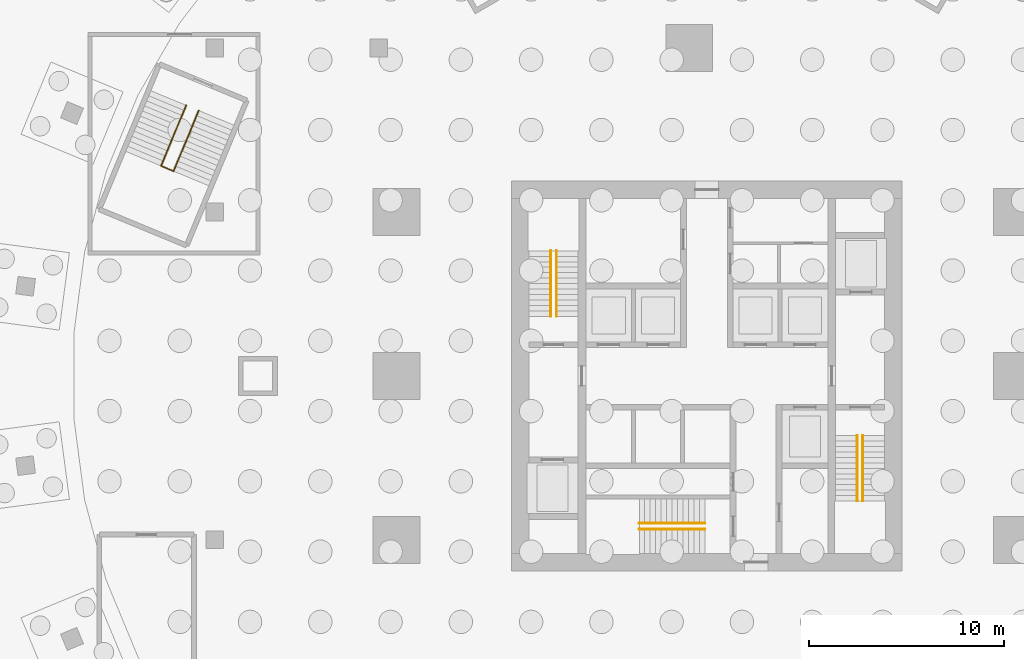
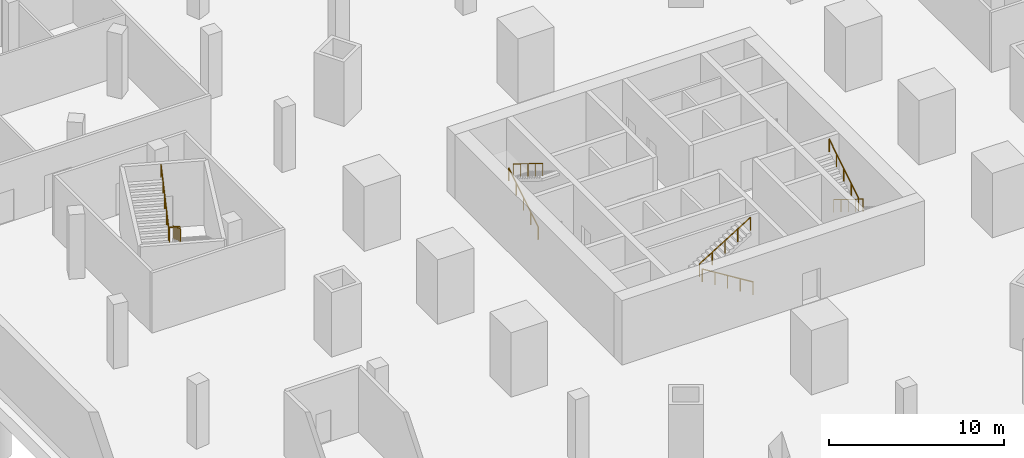
# One storey, part 10 of 12: 9 railings.
"""IFC4 building model written with IfcOpenShell, lengths in metres."""

from ifc_helpers import new_model, si_unit, direction, frame, origin, origin_2d, place, context, subcontext, project, spatial, circle, extrude, material, type_object, element, save


model = new_model("IFC4")

# Units and contexts
model_context = context("Model", 3, precision=1e-05, world=origin(), true_north=direction((0.0, 1.0)))
body_context = subcontext(model_context, "Body", "Model", "MODEL_VIEW")
ifc_project = project(units=[si_unit("LENGTHUNIT", "METRE"), si_unit("AREAUNIT", "SQUARE_METRE"), si_unit("VOLUMEUNIT", "CUBIC_METRE"), si_unit("PLANEANGLEUNIT", "RADIAN"), si_unit("MASSUNIT", "GRAM", prefix="KILO")], contexts=[model_context])

# Site, building, storey
site_placement = place(None, origin())
site = spatial("IfcSite", under=ifc_project, at=site_placement, CompositionType="ELEMENT")
building_placement = place(site_placement, origin())
building = spatial("IfcBuilding", under=site, at=building_placement, Name="Golbaran Civic Tower", CompositionType="ELEMENT")
storey_placement = place(building_placement, frame((0.0, 0.0, -13.5)))
storey = spatial("IfcBuildingStorey", under=building, at=storey_placement, Name="B3", CompositionType="ELEMENT", Elevation=-13.5)

# Railings
ifc_material_1 = material(Name="Steel balustrade", Category="steel")
railing_type_1 = type_object("IfcRailingType", Name="STAIR GUARD 1100", PredefinedType="GUARDRAIL", material=ifc_material_1)
railing_1_placement = place(storey_placement, frame((-27.360595703125, 10.510498046875, 2.25)))
element("IfcRailing", 1, at=railing_1_placement, inside=storey, type_object=railing_type_1, Name="Stair P2 well guard half landing B3", PredefinedType="GUARDRAIL", context=body_context, shape_type="SweptSolid", body=[
    extrude(circle(Radius=0.02392578125, at=origin_2d()), frame((0.0, 0.0, 1.076171875), z_axis=(-0.923917630863, 0.382591441855, 0.0), x_axis=(-0.382591441855, -0.923917630863, 0.0)), (0.0, 0.0, 1.0), 0.599853515625),
    extrude(circle(Radius=0.02099609375, at=origin_2d()), origin(), (0.0, 0.0, 1.0), 1.052001953125),
    extrude(circle(Radius=0.02099609375, at=origin_2d()), frame((-0.55419921875, 0.2294921875, 0.0)), (0.0, 0.0, 1.0), 1.052001953125),
])
ifc_material_2 = material(Name="Stainless steel", Category="steel")
railing_type_2 = type_object("IfcRailingType", Name="STAIR HANDRAIL 900", PredefinedType="HANDRAIL", material=ifc_material_2)
railing_2_placement = place(storey_placement, frame((-8.0, 3.050048828125, 0.173095703125)))
element("IfcRailing", 2, at=railing_2_placement, inside=storey, type_object=railing_type_2, Name="Stair S1 handrail flight 1 B3", PredefinedType="HANDRAIL", context=body_context, shape_type="SweptSolid", body=[
    extrude(circle(Radius=0.02392578125, at=origin_2d()), frame((0.0, 0.0, 0.8759765625), z_axis=(0.0, 0.850606129759, 0.525803396734), x_axis=(-1.0, 0.0, 0.0)), (0.0, 0.0, 1.0), 3.949951171875),
    extrude(circle(Radius=0.02099609375, at=origin_2d()), origin(), (0.0, 0.0, 1.0), 0.851806640625),
    extrude(circle(Radius=0.02099609375, at=origin_2d()), frame((0.0, 0.83984375, 0.519287109375)), (0.0, 0.0, 1.0), 0.851806640625),
    extrude(circle(Radius=0.02099609375, at=origin_2d()), frame((0.0, 1.679931640625, 1.03857421875)), (0.0, 0.0, 1.0), 0.851806640625),
    extrude(circle(Radius=0.02099609375, at=origin_2d()), frame((0.0, 2.52001953125, 1.5576171875)), (0.0, 0.0, 1.0), 0.851806640625),
    extrude(circle(Radius=0.02099609375, at=origin_2d()), frame((0.0, 3.35986328125, 2.076904296875)), (0.0, 0.0, 1.0), 0.851806640625),
])
for number, where, name in (
    (3, (-7.699951171875, 6.409912109375, 2.423095703125), "Stair S1 handrail flight 2 B3"),
    (4, (8.0, -3.050048828125, 0.173095703125), "Stair S2 handrail flight 1 B3"),
):
    element("IfcRailing", number, at=place(storey_placement, frame(where)), inside=storey, type_object=railing_type_2, Name=name, PredefinedType="HANDRAIL", context=body_context, shape_type="SweptSolid", body=[
        extrude(circle(Radius=0.02392578125, at=origin_2d()), frame((0.0, 0.0, 0.8759765625), z_axis=(0.0, -0.850606129759, 0.525803396734), x_axis=(1.0, 0.0, 0.0)), (0.0, 0.0, 1.0), 3.949951171875),
        extrude(circle(Radius=0.02099609375, at=origin_2d()), origin(), (0.0, 0.0, 1.0), 0.851806640625),
        extrude(circle(Radius=0.02099609375, at=origin_2d()), frame((0.0, -0.83984375, 0.519287109375)), (0.0, 0.0, 1.0), 0.851806640625),
        extrude(circle(Radius=0.02099609375, at=origin_2d()), frame((0.0, -1.679931640625, 1.03857421875)), (0.0, 0.0, 1.0), 0.851806640625),
        extrude(circle(Radius=0.02099609375, at=origin_2d()), frame((0.0, -2.52001953125, 1.5576171875)), (0.0, 0.0, 1.0), 0.851806640625),
        extrude(circle(Radius=0.02099609375, at=origin_2d()), frame((0.0, -3.35986328125, 2.076904296875)), (0.0, 0.0, 1.0), 0.851806640625),
    ])
railing_3_placement = place(storey_placement, frame((7.699951171875, -6.409912109375, 2.423095703125)))
element("IfcRailing", 5, at=railing_3_placement, inside=storey, type_object=railing_type_2, Name="Stair S2 handrail flight 2 B3", PredefinedType="HANDRAIL", context=body_context, shape_type="SweptSolid", body=[
    extrude(circle(Radius=0.02392578125, at=origin_2d()), frame((0.0, 0.0, 0.8759765625), z_axis=(0.0, 0.850606129759, 0.525803396734), x_axis=(-1.0, 0.0, 0.0)), (0.0, 0.0, 1.0), 3.949951171875),
    extrude(circle(Radius=0.02099609375, at=origin_2d()), origin(), (0.0, 0.0, 1.0), 0.851806640625),
    extrude(circle(Radius=0.02099609375, at=origin_2d()), frame((0.0, 0.83984375, 0.519287109375)), (0.0, 0.0, 1.0), 0.851806640625),
    extrude(circle(Radius=0.02099609375, at=origin_2d()), frame((0.0, 1.679931640625, 1.03857421875)), (0.0, 0.0, 1.0), 0.851806640625),
    extrude(circle(Radius=0.02099609375, at=origin_2d()), frame((0.0, 2.52001953125, 1.5576171875)), (0.0, 0.0, 1.0), 0.851806640625),
    extrude(circle(Radius=0.02099609375, at=origin_2d()), frame((0.0, 3.35986328125, 2.076904296875)), (0.0, 0.0, 1.0), 0.851806640625),
])
railing_4_placement = place(storey_placement, frame((-0.10009765625, -7.85009765625, 0.173095703125)))
element("IfcRailing", 6, at=railing_4_placement, inside=storey, type_object=railing_type_2, Name="Stair S3 handrail flight 1 B3", PredefinedType="HANDRAIL", context=body_context, shape_type="SweptSolid", body=[
    extrude(circle(Radius=0.02392578125, at=origin_2d()), frame((0.0, 0.0, 0.8759765625), z_axis=(-0.850606129759, 0.0, 0.525803396734), x_axis=(0.0, -1.0, 0.0)), (0.0, 0.0, 1.0), 3.949951171875),
    extrude(circle(Radius=0.02099609375, at=origin_2d()), origin(), (0.0, 0.0, 1.0), 0.851806640625),
    extrude(circle(Radius=0.02099609375, at=origin_2d()), frame((-0.83984375, 0.0, 0.519287109375)), (0.0, 0.0, 1.0), 0.851806640625),
    extrude(circle(Radius=0.02099609375, at=origin_2d()), frame((-1.679931640625, 0.0, 1.03857421875)), (0.0, 0.0, 1.0), 0.851806640625),
    extrude(circle(Radius=0.02099609375, at=origin_2d()), frame((-2.52001953125, 0.0, 1.5576171875)), (0.0, 0.0, 1.0), 0.851806640625),
    extrude(circle(Radius=0.02099609375, at=origin_2d()), frame((-3.35986328125, 0.0, 2.076904296875)), (0.0, 0.0, 1.0), 0.851806640625),
])
railing_5_placement = place(storey_placement, frame((-3.4599609375, -7.550048828125, 2.423095703125)))
element("IfcRailing", 7, at=railing_5_placement, inside=storey, type_object=railing_type_2, Name="Stair S3 handrail flight 2 B3", PredefinedType="HANDRAIL", context=body_context, shape_type="SweptSolid", body=[
    extrude(circle(Radius=0.02392578125, at=origin_2d()), frame((0.0, 0.0, 0.8759765625), z_axis=(0.850606129759, 0.0, 0.525803396734), x_axis=(0.0, 1.0, 0.0)), (0.0, 0.0, 1.0), 3.949951171875),
    extrude(circle(Radius=0.02099609375, at=origin_2d()), origin(), (0.0, 0.0, 1.0), 0.851806640625),
    extrude(circle(Radius=0.02099609375, at=origin_2d()), frame((0.83984375, 0.0, 0.519287109375)), (0.0, 0.0, 1.0), 0.851806640625),
    extrude(circle(Radius=0.02099609375, at=origin_2d()), frame((1.679931640625, 0.0, 1.03857421875)), (0.0, 0.0, 1.0), 0.851806640625),
    extrude(circle(Radius=0.02099609375, at=origin_2d()), frame((2.52001953125, 0.0, 1.5576171875)), (0.0, 0.0, 1.0), 0.851806640625),
    extrude(circle(Radius=0.02099609375, at=origin_2d()), frame((3.35986328125, 0.0, 2.076904296875)), (0.0, 0.0, 1.0), 0.851806640625),
])
railing_6_placement = place(storey_placement, frame((-26.028564453125, 13.595458984375, 0.173095703125)))
element("IfcRailing", 8, at=railing_6_placement, inside=storey, type_object=railing_type_2, Name="Stair P2 handrail flight 1 B3", PredefinedType="HANDRAIL", context=body_context, shape_type="SweptSolid", body=[
    extrude(circle(Radius=0.02392578125, at=origin_2d()), frame((0.0, 0.0, 0.8759765625), z_axis=(-0.325492629676, -0.785855164015, 0.525819559562), x_axis=(0.923887528372, -0.38266412808, 0.0)), (0.0, 0.0, 1.0), 3.949951171875),
    extrude(circle(Radius=0.02099609375, at=origin_2d()), origin(), (0.0, 0.0, 1.0), 0.851806640625),
    extrude(circle(Radius=0.02099609375, at=origin_2d()), frame((-0.3212890625, -0.77587890625, 0.519287109375)), (0.0, 0.0, 1.0), 0.851806640625),
    extrude(circle(Radius=0.02099609375, at=origin_2d()), frame((-0.642822265625, -1.552001953125, 1.03857421875)), (0.0, 0.0, 1.0), 0.851806640625),
    extrude(circle(Radius=0.02099609375, at=origin_2d()), frame((-0.96435546875, -2.328125, 1.5576171875)), (0.0, 0.0, 1.0), 0.851806640625),
    extrude(circle(Radius=0.02099609375, at=origin_2d()), frame((-1.28564453125, -3.10400390625, 2.076904296875)), (0.0, 0.0, 1.0), 0.851806640625),
])
railing_7_placement = place(storey_placement, frame((-27.9609375, 10.75927734375, 2.423095703125)))
element("IfcRailing", 9, at=railing_7_placement, inside=storey, type_object=railing_type_2, Name="Stair P2 handrail flight 2 B3", PredefinedType="HANDRAIL", context=body_context, shape_type="SweptSolid", body=[
    extrude(circle(Radius=0.02392578125, at=origin_2d()), frame((0.0, 0.0, 0.8759765625), z_axis=(0.325476819766, 0.785878800478, 0.525794019321), x_axis=(-0.923898168054, 0.382638439086, 0.0)), (0.0, 0.0, 1.0), 3.949951171875),
    extrude(circle(Radius=0.02099609375, at=origin_2d()), origin(), (0.0, 0.0, 1.0), 0.851806640625),
    extrude(circle(Radius=0.02099609375, at=origin_2d()), frame((0.3212890625, 0.776123046875, 0.519287109375)), (0.0, 0.0, 1.0), 0.851806640625),
    extrude(circle(Radius=0.02099609375, at=origin_2d()), frame((0.642822265625, 1.55224609375, 1.03857421875)), (0.0, 0.0, 1.0), 0.851806640625),
    extrude(circle(Radius=0.02099609375, at=origin_2d()), frame((0.96435546875, 2.328125, 1.5576171875)), (0.0, 0.0, 1.0), 0.851806640625),
    extrude(circle(Radius=0.02099609375, at=origin_2d()), frame((1.28564453125, 3.104248046875, 2.076904296875)), (0.0, 0.0, 1.0), 0.851806640625),
])

save(model, "model.ifc")
